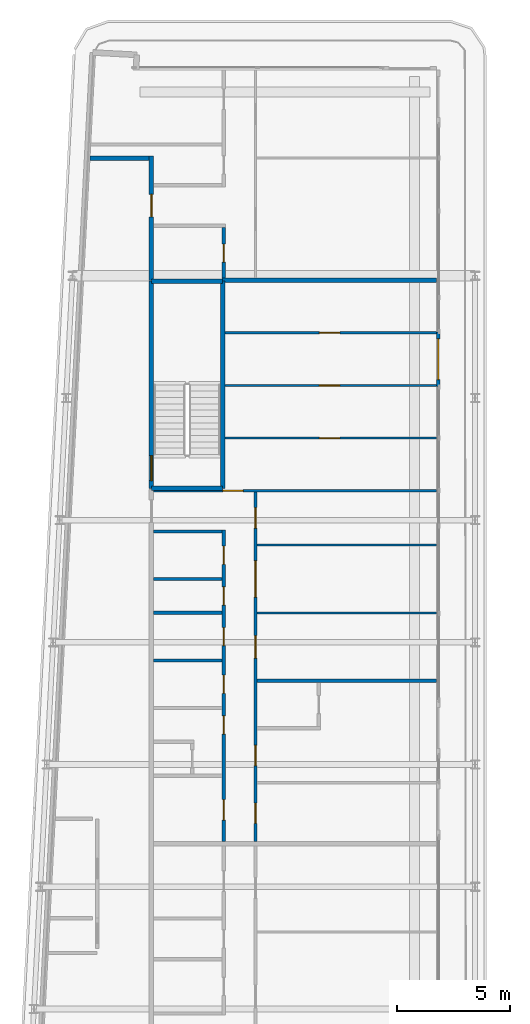
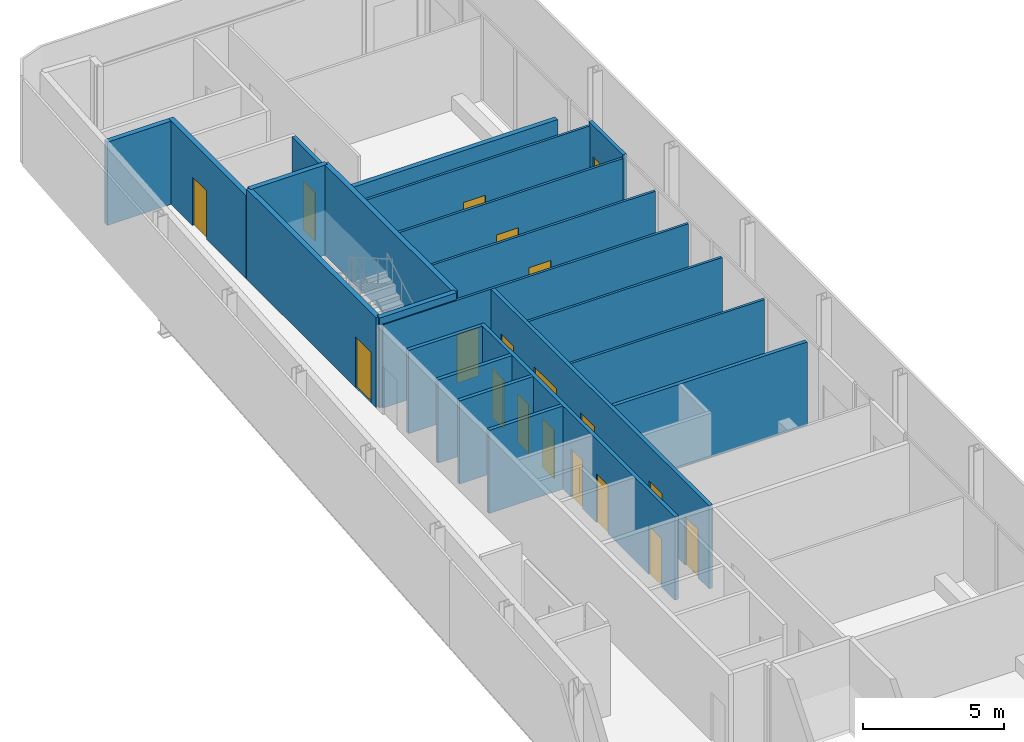
# One storey, part 14 of 21: 22 walls, 19 doors, 19 openings.
"""IFC4 building model written with IfcOpenShell, lengths in metres."""

from ifc_helpers import new_model, si_unit, direction, frame, frame_2d, origin, place, context, subcontext, project, spatial, rectangle, extrude, source, transform, mapped, material, layer, layer_set, type_object, element, fill, save


model = new_model("IFC4")

# Units and contexts
model_context = context("Model", 3, precision=1e-05, world=origin(), true_north=direction((0.0, 1.0)))
body_context = subcontext(model_context, "Body", "Model", "MODEL_VIEW")
ifc_project = project(units=[si_unit("LENGTHUNIT", "METRE"), si_unit("AREAUNIT", "SQUARE_METRE"), si_unit("VOLUMEUNIT", "CUBIC_METRE"), si_unit("PLANEANGLEUNIT", "RADIAN"), si_unit("MASSUNIT", "GRAM", prefix="KILO")], contexts=[model_context])

# Site, building, storey
site_placement = place(None, origin())
site = spatial("IfcSite", under=ifc_project, at=site_placement, CompositionType="ELEMENT")
building_placement = place(site_placement, origin())
building = spatial("IfcBuilding", under=site, at=building_placement, Name="Kheshtan School and Residences Tower", CompositionType="ELEMENT")
storey_placement = place(building_placement, frame((0.0, 0.0, 278.60009765625)))
storey = spatial("IfcBuildingStorey", under=building, at=storey_placement, Name="L65", CompositionType="ELEMENT", Elevation=278.60009765625)

# Wall
ifc_material_1 = material(Name="Gypsum board on steel studs with fire boards", Category="steel")
ifc_layer_1 = layer(ifc_material_1, 0.199951171875)
ifc_layer_set_1 = layer_set([ifc_layer_1], Name="Corridor wall 200")
wall_type_1 = type_object("IfcWallType", Name="Corridor wall 200", PredefinedType="PARTITIONING", material=ifc_layer_set_1)
wall_1_placement = place(storey_placement, frame((30.584716796875, 94.0, 0.0), z_axis=(0.0, 0.0, 1.0), x_axis=(1.0, 0.0, 0.0)))
element("IfcWall", 1, at=wall_1_placement, inside=storey, type_object=wall_type_1, Name="Partition L65-002", PredefinedType="PARTITIONING", context=body_context, shape_type="SweptSolid", body=[
    extrude(rectangle(XDim=2.615234375, YDim=0.199951171875, at=frame_2d((1.3076171875, 0.0))), origin(), (0.0, 0.0, 1.0), 3.599853515625),
])

# Wall, opening, door
wall_2_placement = place(storey_placement, frame((33.300048828125, 88.60009765625, 0.0), z_axis=(0.0, 0.0, 1.0), x_axis=(0.0, 1.0, 0.0)))
wall_2 = element("IfcWall", 2, at=wall_2_placement, inside=storey, type_object=wall_type_1, Name="Partition L65-004", PredefinedType="PARTITIONING", context=body_context, shape_type="SweptSolid", body=[
    extrude(rectangle(XDim=5.5, YDim=0.199951171875, at=frame_2d((2.75, 0.0))), origin(), (0.0, 0.0, 1.0), 3.599853515625),
])
opening_1_placement = place(wall_2_placement, frame((2.800048828125, 0.0, 0.0)))
opening_1 = element("IfcOpeningElement", 3, at=opening_1_placement, cuts=wall_2, Name="Opening D64-027", PredefinedType="OPENING", context=body_context, shape_type="SweptSolid", body=[
    extrude(rectangle(XDim=1.0, YDim=2.10009765625, at=frame_2d((0.5, 1.050048828125))), frame((0.0, 0.10986328125, 0.0), z_axis=(0.0, -1.0, 0.0), x_axis=(1.0, 0.0, 0.0)), (0.0, 0.0, 1.0), 0.219970703125),
])
ifc_material_2 = material(Name="Steel-framed fire-resisting door leaf", Category="steel")
door_type_1 = type_object("IfcDoorType", Name="Fire door FD30S 1000 x 2100", OperationType="SINGLE_SWING_LEFT", PredefinedType="DOOR", material=ifc_material_2)
shared_shape_1 = source(origin(), body_context, "Body", "SweptSolid", [
    extrude(rectangle(XDim=1.0, YDim=2.10009765625, at=frame_2d((0.5, 1.050048828125))), frame((0.0, 0.02490234375, 0.0), z_axis=(0.0, -1.0, 0.0), x_axis=(1.0, 0.0, 0.0)), (0.0, 0.0, 1.0), 0.050048828125),
])
door_1_placement = place(opening_1_placement, origin())
door_1 = element("IfcDoor", 4, at=door_1_placement, inside=storey, type_object=door_type_1, Name="Door D64-027", OperationType="SINGLE_SWING_LEFT", OverallHeight=2.10009765625, OverallWidth=1.0, PredefinedType="DOOR", context=body_context, shape_type="MappedRepresentation", body=[
    mapped(shared_shape_1, transform((0.0, 0.0, 0.0), x_axis=(1.0, 0.0, 0.0), y_axis=(0.0, 1.0, 0.0), z_axis=(0.0, 0.0, 1.0), scale=1.0)),
])
fill(opening_1, door_1)

ifc_material_3 = material(Name="Aluminium frame wall with insulated infill", Category="aluminium")
ifc_layer_2 = layer(ifc_material_3, 0.14990234375)
ifc_layer_set_2 = layer_set([ifc_layer_2], Name="Glazing frame wall 150")
wall_type_2 = type_object("IfcWallType", Name="Glazing frame wall 150", PredefinedType="SOLIDWALL", material=ifc_layer_set_2)
wall_3_placement = place(storey_placement, frame((45.97509765625, 86.305908203125, 0.0), z_axis=(0.0, 0.0, 1.0), x_axis=(0.0, -1.0, 0.0)))
wall_3 = element("IfcWall", 5, at=wall_3_placement, inside=storey, type_object=wall_type_2, Name="Balcony door wall L65 8.2", PredefinedType="SOLIDWALL", context=body_context, shape_type="SweptSolid", body=[
    extrude(rectangle(XDim=2.39990234375, YDim=0.14990234375, at=frame_2d((1.199951171875, 0.0))), origin(), (0.0, 0.0, 1.0), 3.75),
])
opening_2_placement = place(wall_3_placement, frame((0.300048828125, 0.0, 0.0)))
opening_2 = element("IfcOpeningElement", 6, at=opening_2_placement, cuts=wall_3, Name="Opening BD", PredefinedType="OPENING", context=body_context, shape_type="SweptSolid", body=[
    extrude(rectangle(XDim=1.800048828125, YDim=2.39990234375, at=frame_2d((0.89990234375, 1.199951171875))), frame((0.0, 0.0849609375, 0.0), z_axis=(0.0, -1.0, 0.0), x_axis=(1.0, 0.0, 0.0)), (0.0, 0.0, 1.0), 0.169921875),
])
ifc_material_4 = material(Name="Clear low-e glass in thermally broken aluminium frame", Category="aluminium")
door_type_2 = type_object("IfcDoorType", Name="Balcony sliding door", OperationType="SLIDING_TO_LEFT", PredefinedType="DOOR", material=ifc_material_4)
shared_shape_2 = source(origin(), body_context, "Body", "SweptSolid", [
    extrude(rectangle(XDim=1.800048828125, YDim=2.39990234375, at=frame_2d((0.89990234375, 1.199951171875))), frame((0.0, 0.02490234375, 0.0), z_axis=(0.0, -1.0, 0.0), x_axis=(1.0, 0.0, 0.0)), (0.0, 0.0, 1.0), 0.050048828125),
])
door_2_placement = place(opening_2_placement, origin())
door_2 = element("IfcDoor", 7, at=door_2_placement, inside=storey, type_object=door_type_2, Name="Balcony door L65 8.2", OperationType="SLIDING_TO_LEFT", OverallHeight=2.39990234375, OverallWidth=1.800048828125, PredefinedType="DOOR", context=body_context, shape_type="MappedRepresentation", body=[
    mapped(shared_shape_2, transform((0.0, 0.0, 0.0), x_axis=(1.0, 0.0, 0.0), y_axis=(0.0, 1.0, 0.0), z_axis=(0.0, 0.0, 1.0), scale=1.0)),
])
fill(opening_2, door_2)

ifc_material_5 = material(Name="Gypsum board on steel studs", Category="steel")
ifc_layer_3 = layer(ifc_material_5, 0.10009765625)
ifc_layer_set_3 = layer_set([ifc_layer_3], Name="Gypsum partition 100")
wall_type_3 = type_object("IfcWallType", Name="Gypsum partition 100", PredefinedType="PARTITIONING", material=ifc_layer_set_3)
wall_4_placement = place(storey_placement, frame((33.39990234375, 79.300048828125, 0.0), z_axis=(0.0, 0.0, 1.0), x_axis=(1.0, 0.0, 0.0)))
wall_4 = element("IfcWall", 8, at=wall_4_placement, inside=storey, type_object=wall_type_3, Name="Partition L65-017", PredefinedType="PARTITIONING", context=body_context, shape_type="SweptSolid", body=[
    extrude(rectangle(XDim=12.5, YDim=0.10009765625, at=frame_2d((6.25, 0.0))), origin(), (0.0, 0.0, 1.0), 3.599853515625),
])
opening_3_placement = place(wall_4_placement, frame((3.052978515625, 0.0, 0.0)))
opening_3 = element("IfcOpeningElement", 9, at=opening_3_placement, cuts=wall_4, Name="Opening D64-021", PredefinedType="OPENING", context=body_context, shape_type="SweptSolid", body=[
    extrude(rectangle(XDim=0.89990234375, YDim=2.10009765625, at=frame_2d((0.449951171875, 1.050048828125))), frame((0.0, 0.06005859375, 0.0), z_axis=(0.0, -1.0, 0.0), x_axis=(1.0, 0.0, 0.0)), (0.0, 0.0, 1.0), 0.1201171875),
])
ifc_material_6 = material(Name="Veneered timber door leaf", Category="wood")
door_type_3 = type_object("IfcDoorType", Name="Door 900 x 2100", OperationType="SINGLE_SWING_LEFT", PredefinedType="DOOR", material=ifc_material_6)
shared_shape_3 = source(origin(), body_context, "Body", "SweptSolid", [
    extrude(rectangle(XDim=0.89990234375, YDim=2.10009765625, at=frame_2d((0.449951171875, 1.050048828125))), frame((0.0, 0.02490234375, 0.0), z_axis=(0.0, -1.0, 0.0), x_axis=(1.0, 0.0, 0.0)), (0.0, 0.0, 1.0), 0.050048828125),
])
door_3_placement = place(opening_3_placement, origin())
door_3 = element("IfcDoor", 10, at=door_3_placement, inside=storey, type_object=door_type_3, Name="Door D64-021", OperationType="SINGLE_SWING_LEFT", OverallHeight=2.10009765625, OverallWidth=0.89990234375, PredefinedType="DOOR", context=body_context, shape_type="MappedRepresentation", body=[
    mapped(shared_shape_3, transform((0.0, 0.0, 0.0), x_axis=(1.0, 0.0, 0.0), y_axis=(0.0, 1.0, 0.0), z_axis=(0.0, 0.0, 1.0), scale=1.0)),
])
fill(opening_3, door_3)

wall_5_placement = place(storey_placement, frame((36.549072265625, 81.625, 0.0), z_axis=(0.0, 0.0, 1.0), x_axis=(1.0, 0.0, 0.0)))
wall_5 = element("IfcWall", 11, at=wall_5_placement, inside=storey, type_object=wall_type_3, Name="Partition L65-028", PredefinedType="PARTITIONING", context=body_context, shape_type="SweptSolid", body=[
    extrude(rectangle(XDim=9.350830078125, YDim=0.10009765625, at=frame_2d((4.67529296875, 0.0))), origin(), (0.0, 0.0, 1.0), 3.599853515625),
])
opening_4_placement = place(wall_5_placement, frame((4.176025390625, 0.0, 0.0)))
opening_4 = element("IfcOpeningElement", 12, at=opening_4_placement, cuts=wall_5, Name="Opening D64-022", PredefinedType="OPENING", context=body_context, shape_type="SweptSolid", body=[
    extrude(rectangle(XDim=0.89990234375, YDim=2.10009765625, at=frame_2d((0.449951171875, 1.050048828125))), frame((0.0, 0.06005859375, 0.0), z_axis=(0.0, -1.0, 0.0), x_axis=(1.0, 0.0, 0.0)), (0.0, 0.0, 1.0), 0.1201171875),
])
door_4_placement = place(opening_4_placement, origin())
door_4 = element("IfcDoor", 13, at=door_4_placement, inside=storey, type_object=door_type_3, Name="Door D64-022", OperationType="SINGLE_SWING_RIGHT", OverallHeight=2.10009765625, OverallWidth=0.89990234375, PredefinedType="DOOR", context=body_context, shape_type="MappedRepresentation", body=[
    mapped(shared_shape_3, transform((0.0, 0.0, 0.0), x_axis=(1.0, 0.0, 0.0), y_axis=(0.0, 1.0, 0.0), z_axis=(0.0, 0.0, 1.0), scale=1.0)),
])
fill(opening_4, door_4)

wall_6_placement = place(storey_placement, frame((36.549072265625, 83.949951171875, 0.0), z_axis=(0.0, 0.0, 1.0), x_axis=(1.0, 0.0, 0.0)))
wall_6 = element("IfcWall", 14, at=wall_6_placement, inside=storey, type_object=wall_type_3, Name="Partition L65-029", PredefinedType="PARTITIONING", context=body_context, shape_type="SweptSolid", body=[
    extrude(rectangle(XDim=9.350830078125, YDim=0.10009765625, at=frame_2d((4.67529296875, 0.0))), origin(), (0.0, 0.0, 1.0), 3.599853515625),
])
opening_5_placement = place(wall_6_placement, frame((4.176025390625, 0.0, 0.0)))
opening_5 = element("IfcOpeningElement", 15, at=opening_5_placement, cuts=wall_6, Name="Opening D64-023", PredefinedType="OPENING", context=body_context, shape_type="SweptSolid", body=[
    extrude(rectangle(XDim=0.89990234375, YDim=2.10009765625, at=frame_2d((0.449951171875, 1.050048828125))), frame((0.0, 0.06005859375, 0.0), z_axis=(0.0, -1.0, 0.0), x_axis=(1.0, 0.0, 0.0)), (0.0, 0.0, 1.0), 0.1201171875),
])
door_5_placement = place(opening_5_placement, origin())
door_5 = element("IfcDoor", 16, at=door_5_placement, inside=storey, type_object=door_type_3, Name="Door D64-023", OperationType="SINGLE_SWING_RIGHT", OverallHeight=2.10009765625, OverallWidth=0.89990234375, PredefinedType="DOOR", context=body_context, shape_type="MappedRepresentation", body=[
    mapped(shared_shape_3, transform((0.0, 0.0, 0.0), x_axis=(1.0, 0.0, 0.0), y_axis=(0.0, 1.0, 0.0), z_axis=(0.0, 0.0, 1.0), scale=1.0)),
])
fill(opening_5, door_5)

wall_7_placement = place(storey_placement, frame((36.549072265625, 86.27490234375, 0.0), z_axis=(0.0, 0.0, 1.0), x_axis=(1.0, 0.0, 0.0)))
wall_7 = element("IfcWall", 17, at=wall_7_placement, inside=storey, type_object=wall_type_3, Name="Partition L65-030", PredefinedType="PARTITIONING", context=body_context, shape_type="SweptSolid", body=[
    extrude(rectangle(XDim=9.350830078125, YDim=0.10009765625, at=frame_2d((4.67529296875, 0.0))), origin(), (0.0, 0.0, 1.0), 3.599853515625),
])
opening_6_placement = place(wall_7_placement, frame((4.176025390625, 0.0, 0.0)))
opening_6 = element("IfcOpeningElement", 18, at=opening_6_placement, cuts=wall_7, Name="Opening D64-024", PredefinedType="OPENING", context=body_context, shape_type="SweptSolid", body=[
    extrude(rectangle(XDim=0.89990234375, YDim=2.10009765625, at=frame_2d((0.449951171875, 1.050048828125))), frame((0.0, 0.06005859375, 0.0), z_axis=(0.0, -1.0, 0.0), x_axis=(1.0, 0.0, 0.0)), (0.0, 0.0, 1.0), 0.1201171875),
])
door_6_placement = place(opening_6_placement, origin())
door_6 = element("IfcDoor", 19, at=door_6_placement, inside=storey, type_object=door_type_3, Name="Door D64-024", OperationType="SINGLE_SWING_RIGHT", OverallHeight=2.10009765625, OverallWidth=0.89990234375, PredefinedType="DOOR", context=body_context, shape_type="MappedRepresentation", body=[
    mapped(shared_shape_3, transform((0.0, 0.0, 0.0), x_axis=(1.0, 0.0, 0.0), y_axis=(0.0, 1.0, 0.0), z_axis=(0.0, 0.0, 1.0), scale=1.0)),
])
fill(opening_6, door_6)

# Walls
for number, where, z_axis, x_axis, name in (
    (20, (37.97509765625, 73.89990234375, 0.0), (0.0, 0.0, 1.0), (1.0, 0.0, 0.0), "Partition L65-039"),
    (21, (37.97509765625, 76.89990234375, 0.0), (0.0, 0.0, 1.0), (1.0, 0.0, 0.0), "Partition L65-040"),
):
    element("IfcWall", number, at=place(storey_placement, frame(where, z_axis=z_axis, x_axis=x_axis)), inside=storey, type_object=wall_type_3, Name=name, PredefinedType="PARTITIONING", context=body_context, shape_type="SweptSolid", body=[
        extrude(rectangle(XDim=7.9248046875, YDim=0.10009765625, at=frame_2d((3.96240234375, 0.0))), origin(), (0.0, 0.0, 1.0), 3.599853515625),
    ])
ifc_material_7 = material(Name="Concrete C40/50", Category="concrete")
ifc_layer_4 = layer(ifc_material_7, 0.199951171875)
ifc_layer_set_4 = layer_set([ifc_layer_4], Name="Stair enclosure wall 200 Concrete C40/50")
wall_type_4 = type_object("IfcWallType", Name="Stair enclosure wall 200 Concrete C40/50", PredefinedType="SHEAR", material=ifc_layer_set_4)
for number, where, z_axis, x_axis, name in (
    (22, (33.300048828125, 79.39990234375, 0.0), (0.0, 0.0, 1.0), (1.0, 0.0, 0.0), "Stair enclosure wall ST3"),
    (23, (33.300048828125, 88.56005859375, 0.0), (0.0, 0.0, 1.0), (1.0, 0.0, 0.0), "Stair enclosure wall ST3"),
):
    element("IfcWall", number, at=place(storey_placement, frame(where, z_axis=z_axis, x_axis=x_axis)), inside=storey, type_object=wall_type_4, Name=name, PredefinedType="SHEAR", context=body_context, shape_type="SweptSolid", body=[
        extrude(rectangle(XDim=3.14990234375, YDim=0.199951171875, at=frame_2d((1.574951171875, 0.0))), origin(), (0.0, 0.0, 1.0), 3.89990234375),
    ])

# Wall, opening, door
wall_8_placement = place(storey_placement, frame((33.300048828125, 79.39990234375, 0.0), z_axis=(0.0, 0.0, 1.0), x_axis=(0.0, 1.0, 0.0)))
wall_8 = element("IfcWall", 24, at=wall_8_placement, inside=storey, type_object=wall_type_4, Name="Stair enclosure wall ST3", PredefinedType="SHEAR", context=body_context, shape_type="SweptSolid", body=[
    extrude(rectangle(XDim=9.16015625, YDim=0.199951171875, at=frame_2d((4.580078125, 0.0))), origin(), (0.0, 0.0, 1.0), 3.89990234375),
])
opening_7_placement = place(wall_8_placement, frame((0.35009765625, 0.0, 0.0)))
opening_7 = element("IfcOpeningElement", 25, at=opening_7_placement, cuts=wall_8, Name="Opening ST3D", PredefinedType="OPENING", context=body_context, shape_type="SweptSolid", body=[
    extrude(rectangle(XDim=1.10009765625, YDim=2.199951171875, at=frame_2d((0.550048828125, 1.10009765625))), frame((0.0, 0.10986328125, 0.0), z_axis=(0.0, -1.0, 0.0), x_axis=(1.0, 0.0, 0.0)), (0.0, 0.0, 1.0), 0.219970703125),
])
ifc_material_8 = material(Name="Steel door leaf, galvanised", Category="steel")
door_type_4 = type_object("IfcDoorType", Name="Stair door 1100 steel 90 min", OperationType="SINGLE_SWING_LEFT", PredefinedType="DOOR", material=ifc_material_8)
shared_shape_4 = source(origin(), body_context, "Body", "SweptSolid", [
    extrude(rectangle(XDim=1.10009765625, YDim=2.199951171875, at=frame_2d((0.550048828125, 1.10009765625))), frame((0.0, 0.02490234375, 0.0), z_axis=(0.0, -1.0, 0.0), x_axis=(1.0, 0.0, 0.0)), (0.0, 0.0, 1.0), 0.050048828125),
])
door_7_placement = place(opening_7_placement, origin())
door_7 = element("IfcDoor", 26, at=door_7_placement, inside=storey, type_object=door_type_4, Name="Stair ST3 door", OperationType="SINGLE_SWING_RIGHT", OverallHeight=2.199951171875, OverallWidth=1.10009765625, PredefinedType="DOOR", context=body_context, shape_type="MappedRepresentation", body=[
    mapped(shared_shape_4, transform((0.0, 0.0, 0.0), x_axis=(1.0, 0.0, 0.0), y_axis=(0.0, 1.0, 0.0), z_axis=(0.0, 0.0, 1.0), scale=1.0)),
])
fill(opening_7, door_7)

# Walls
wall_9_placement = place(storey_placement, frame((36.449951171875, 79.39990234375, 0.0), z_axis=(0.0, 0.0, 1.0), x_axis=(0.0, 1.0, 0.0)))
element("IfcWall", 27, at=wall_9_placement, inside=storey, type_object=wall_type_4, Name="Stair enclosure wall ST3", PredefinedType="SHEAR", context=body_context, shape_type="SweptSolid", body=[
    extrude(rectangle(XDim=9.16015625, YDim=0.199951171875, at=frame_2d((4.580078125, 0.0))), origin(), (0.0, 0.0, 1.0), 3.89990234375),
])
ifc_material_9 = material(Name="Twin gypsum board on steel studs with mineral wool", Category="steel")
ifc_layer_5 = layer(ifc_material_9, 0.199951171875)
ifc_layer_set_5 = layer_set([ifc_layer_5], Name="Unit demising wall 200")
wall_type_5 = type_object("IfcWallType", Name="Unit demising wall 200", PredefinedType="PARTITIONING", material=ifc_layer_set_5)
wall_10_placement = place(storey_placement, frame((36.425048828125, 88.60009765625, 0.0), z_axis=(0.0, 0.0, 1.0), x_axis=(1.0, 0.0, 0.0)))
element("IfcWall", 28, at=wall_10_placement, inside=storey, type_object=wall_type_5, Name="Partition L65-023", PredefinedType="PARTITIONING", context=body_context, shape_type="SweptSolid", body=[
    extrude(rectangle(XDim=9.474853515625, YDim=0.199951171875, at=frame_2d((4.7373046875, 0.0))), origin(), (0.0, 0.0, 1.0), 2.5),
])
ifc_material_10 = material(Name="Moisture-resistant gypsum board on steel studs", Category="steel")
ifc_layer_6 = layer(ifc_material_10, 0.14990234375)
ifc_layer_set_6 = layer_set([ifc_layer_6], Name="Wet-room partition 150")
wall_type_6 = type_object("IfcWallType", Name="Wet-room partition 150", PredefinedType="PARTITIONING", material=ifc_layer_set_6)
for number, where, z_axis, x_axis, name in (
    (29, (33.39990234375, 71.800048828125, 0.0), (0.0, 0.0, 1.0), (1.0, 0.0, 0.0), "Partition L65-013"),
    (30, (33.39990234375, 73.89990234375, 0.0), (0.0, 0.0, 1.0), (1.0, 0.0, 0.0), "Partition L65-014"),
    (31, (33.39990234375, 75.39990234375, 0.0), (0.0, 0.0, 1.0), (1.0, 0.0, 0.0), "Partition L65-015"),
    (32, (33.39990234375, 77.5, 0.0), (0.0, 0.0, 1.0), (1.0, 0.0, 0.0), "Partition L65-016"),
):
    element("IfcWall", number, at=place(storey_placement, frame(where, z_axis=z_axis, x_axis=x_axis)), inside=storey, type_object=wall_type_6, Name=name, PredefinedType="PARTITIONING", context=body_context, shape_type="SweptSolid", body=[
        extrude(rectangle(XDim=3.025146484375, YDim=0.14990234375, at=frame_2d((1.5126953125, 0.0))), origin(), (0.0, 0.0, 1.0), 3.599853515625),
    ])

# Wall, openings, doors
wall_11_placement = place(storey_placement, frame((36.5, 63.800048828125, 0.0), z_axis=(0.0, 0.0, 1.0), x_axis=(0.0, 1.0, 0.0)))
wall_11 = element("IfcWall", 33, at=wall_11_placement, inside=storey, type_object=wall_type_6, Name="Partition L65-025", PredefinedType="PARTITIONING", context=body_context, shape_type="SweptSolid", body=[
    extrude(rectangle(XDim=13.77490234375, YDim=0.14990234375, at=frame_2d((6.887451171875, 0.0))), origin(), (0.0, 0.0, 1.0), 3.599853515625),
])
opening_8_placement = place(wall_11_placement, frame((6.550048828125, 0.0, 0.0)))
opening_8 = element("IfcOpeningElement", 34, at=opening_8_placement, cuts=wall_11, Name="Opening D64-007", PredefinedType="OPENING", context=body_context, shape_type="SweptSolid", body=[
    extrude(rectangle(XDim=0.800048828125, YDim=2.10009765625, at=frame_2d((0.39990234375, 1.050048828125))), frame((0.0, 0.0849609375, 0.0), z_axis=(0.0, -1.0, 0.0), x_axis=(1.0, 0.0, 0.0)), (0.0, 0.0, 1.0), 0.169921875),
])
opening_9_placement = place(wall_11_placement, frame((12.25, 0.0, 0.0)))
opening_9 = element("IfcOpeningElement", 35, at=opening_9_placement, cuts=wall_11, Name="Opening D64-008", PredefinedType="OPENING", context=body_context, shape_type="SweptSolid", body=[
    extrude(rectangle(XDim=0.800048828125, YDim=2.10009765625, at=frame_2d((0.39990234375, 1.050048828125))), frame((0.0, 0.0849609375, 0.0), z_axis=(0.0, -1.0, 0.0), x_axis=(1.0, 0.0, 0.0)), (0.0, 0.0, 1.0), 0.169921875),
])
opening_10_placement = place(wall_11_placement, frame((8.64990234375, 0.0, 0.0)))
opening_10 = element("IfcOpeningElement", 36, at=opening_10_placement, cuts=wall_11, Name="Opening D64-011", PredefinedType="OPENING", context=body_context, shape_type="SweptSolid", body=[
    extrude(rectangle(XDim=0.800048828125, YDim=2.10009765625, at=frame_2d((0.39990234375, 1.050048828125))), frame((0.0, 0.0849609375, 0.0), z_axis=(0.0, -1.0, 0.0), x_axis=(1.0, 0.0, 0.0)), (0.0, 0.0, 1.0), 0.169921875),
])
opening_11_placement = place(wall_11_placement, frame((0.949951171875, 0.0, 0.0)))
opening_11 = element("IfcOpeningElement", 37, at=opening_11_placement, cuts=wall_11, Name="Opening D64-014", PredefinedType="OPENING", context=body_context, shape_type="SweptSolid", body=[
    extrude(rectangle(XDim=0.89990234375, YDim=2.10009765625, at=frame_2d((0.449951171875, 1.050048828125))), frame((0.0, 0.0849609375, 0.0), z_axis=(0.0, -1.0, 0.0), x_axis=(1.0, 0.0, 0.0)), (0.0, 0.0, 1.0), 0.169921875),
])
opening_12_placement = place(wall_11_placement, frame((4.75, 0.0, 0.0)))
opening_12 = element("IfcOpeningElement", 38, at=opening_12_placement, cuts=wall_11, Name="Opening D64-016", PredefinedType="OPENING", context=body_context, shape_type="SweptSolid", body=[
    extrude(rectangle(XDim=0.800048828125, YDim=2.10009765625, at=frame_2d((0.39990234375, 1.050048828125))), frame((0.0, 0.0849609375, 0.0), z_axis=(0.0, -1.0, 0.0), x_axis=(1.0, 0.0, 0.0)), (0.0, 0.0, 1.0), 0.169921875),
])
opening_13_placement = place(wall_11_placement, frame((10.449951171875, 0.0, 0.0)))
opening_13 = element("IfcOpeningElement", 39, at=opening_13_placement, cuts=wall_11, Name="Opening D64-020", PredefinedType="OPENING", context=body_context, shape_type="SweptSolid", body=[
    extrude(rectangle(XDim=0.800048828125, YDim=2.10009765625, at=frame_2d((0.39990234375, 1.050048828125))), frame((0.0, 0.0849609375, 0.0), z_axis=(0.0, -1.0, 0.0), x_axis=(1.0, 0.0, 0.0)), (0.0, 0.0, 1.0), 0.169921875),
])
door_type_5 = type_object("IfcDoorType", Name="Door 800 x 2100", OperationType="SINGLE_SWING_LEFT", PredefinedType="DOOR", material=ifc_material_6)
shared_shape_5 = source(origin(), body_context, "Body", "SweptSolid", [
    extrude(rectangle(XDim=0.800048828125, YDim=2.10009765625, at=frame_2d((0.39990234375, 1.050048828125))), frame((0.0, 0.02490234375, 0.0), z_axis=(0.0, -1.0, 0.0), x_axis=(1.0, 0.0, 0.0)), (0.0, 0.0, 1.0), 0.050048828125),
])
door_8_placement = place(opening_8_placement, origin())
door_8 = element("IfcDoor", 40, at=door_8_placement, inside=storey, type_object=door_type_5, Name="Door D64-007", OperationType="SINGLE_SWING_RIGHT", OverallHeight=2.10009765625, OverallWidth=0.800048828125, PredefinedType="DOOR", context=body_context, shape_type="MappedRepresentation", body=[
    mapped(shared_shape_5, transform((0.0, 0.0, 0.0), x_axis=(1.0, 0.0, 0.0), y_axis=(0.0, 1.0, 0.0), z_axis=(0.0, 0.0, 1.0), scale=1.0)),
])
fill(opening_8, door_8)
door_9_placement = place(opening_9_placement, origin())
door_9 = element("IfcDoor", 41, at=door_9_placement, inside=storey, type_object=door_type_5, Name="Door D64-008", OperationType="SINGLE_SWING_RIGHT", OverallHeight=2.10009765625, OverallWidth=0.800048828125, PredefinedType="DOOR", context=body_context, shape_type="MappedRepresentation", body=[
    mapped(shared_shape_5, transform((0.0, 0.0, 0.0), x_axis=(1.0, 0.0, 0.0), y_axis=(0.0, 1.0, 0.0), z_axis=(0.0, 0.0, 1.0), scale=1.0)),
])
fill(opening_9, door_9)
door_10_placement = place(opening_10_placement, origin())
door_10 = element("IfcDoor", 42, at=door_10_placement, inside=storey, type_object=door_type_5, Name="Door D64-011", OperationType="SINGLE_SWING_RIGHT", OverallHeight=2.10009765625, OverallWidth=0.800048828125, PredefinedType="DOOR", context=body_context, shape_type="MappedRepresentation", body=[
    mapped(shared_shape_5, transform((0.0, 0.0, 0.0), x_axis=(1.0, 0.0, 0.0), y_axis=(0.0, 1.0, 0.0), z_axis=(0.0, 0.0, 1.0), scale=1.0)),
])
fill(opening_10, door_10)
door_11_placement = place(opening_12_placement, origin())
door_11 = element("IfcDoor", 43, at=door_11_placement, inside=storey, type_object=door_type_5, Name="Door D64-016", OperationType="SINGLE_SWING_RIGHT", OverallHeight=2.10009765625, OverallWidth=0.800048828125, PredefinedType="DOOR", context=body_context, shape_type="MappedRepresentation", body=[
    mapped(shared_shape_5, transform((0.0, 0.0, 0.0), x_axis=(1.0, 0.0, 0.0), y_axis=(0.0, 1.0, 0.0), z_axis=(0.0, 0.0, 1.0), scale=1.0)),
])
fill(opening_12, door_11)
door_12_placement = place(opening_13_placement, origin())
door_12 = element("IfcDoor", 44, at=door_12_placement, inside=storey, type_object=door_type_5, Name="Door D64-020", OperationType="SINGLE_SWING_RIGHT", OverallHeight=2.10009765625, OverallWidth=0.800048828125, PredefinedType="DOOR", context=body_context, shape_type="MappedRepresentation", body=[
    mapped(shared_shape_5, transform((0.0, 0.0, 0.0), x_axis=(1.0, 0.0, 0.0), y_axis=(0.0, 1.0, 0.0), z_axis=(0.0, 0.0, 1.0), scale=1.0)),
])
fill(opening_13, door_12)
door_13_placement = place(opening_11_placement, origin())
door_13 = element("IfcDoor", 45, at=door_13_placement, inside=storey, type_object=door_type_3, Name="Door D64-014", OperationType="SINGLE_SWING_RIGHT", OverallHeight=2.10009765625, OverallWidth=0.89990234375, PredefinedType="DOOR", context=body_context, shape_type="MappedRepresentation", body=[
    mapped(shared_shape_3, transform((0.0, 0.0, 0.0), x_axis=(1.0, 0.0, 0.0), y_axis=(0.0, 1.0, 0.0), z_axis=(0.0, 0.0, 1.0), scale=1.0)),
])
fill(opening_11, door_13)

# Wall, opening, door
wall_12_placement = place(storey_placement, frame((36.5, 88.699951171875, 0.0), z_axis=(0.0, 0.0, 1.0), x_axis=(0.0, 1.0, 0.0)))
wall_12 = element("IfcWall", 46, at=wall_12_placement, inside=storey, type_object=wall_type_6, Name="Partition L65-026", PredefinedType="PARTITIONING", context=body_context, shape_type="SweptSolid", body=[
    extrude(rectangle(XDim=2.22509765625, YDim=0.14990234375, at=frame_2d((1.112548828125, 0.0))), origin(), (0.0, 0.0, 1.0), 3.599853515625),
])
opening_14_placement = place(wall_12_placement, frame((0.699951171875, 0.0, 0.0)))
opening_14 = element("IfcOpeningElement", 47, at=opening_14_placement, cuts=wall_12, Name="Opening D64-025", PredefinedType="OPENING", context=body_context, shape_type="SweptSolid", body=[
    extrude(rectangle(XDim=0.800048828125, YDim=2.10009765625, at=frame_2d((0.39990234375, 1.050048828125))), frame((0.0, 0.0849609375, 0.0), z_axis=(0.0, -1.0, 0.0), x_axis=(1.0, 0.0, 0.0)), (0.0, 0.0, 1.0), 0.169921875),
])
door_14_placement = place(opening_14_placement, origin())
door_14 = element("IfcDoor", 48, at=door_14_placement, inside=storey, type_object=door_type_5, Name="Door D64-025", OperationType="SINGLE_SWING_LEFT", OverallHeight=2.10009765625, OverallWidth=0.800048828125, PredefinedType="DOOR", context=body_context, shape_type="MappedRepresentation", body=[
    mapped(shared_shape_5, transform((0.0, 0.0, 0.0), x_axis=(1.0, 0.0, 0.0), y_axis=(0.0, 1.0, 0.0), z_axis=(0.0, 0.0, 1.0), scale=1.0)),
])
fill(opening_14, door_14)

# Wall, openings, doors
wall_13_placement = place(storey_placement, frame((37.89990234375, 63.800048828125, 0.0), z_axis=(0.0, 0.0, 1.0), x_axis=(0.0, 1.0, 0.0)))
wall_13 = element("IfcWall", 49, at=wall_13_placement, inside=storey, type_object=wall_type_6, Name="Partition L65-032", PredefinedType="PARTITIONING", context=body_context, shape_type="SweptSolid", body=[
    extrude(rectangle(XDim=15.449951171875, YDim=0.14990234375, at=frame_2d((7.72509765625, 0.0))), origin(), (0.0, 0.0, 1.0), 3.599853515625),
])
opening_15_placement = place(wall_13_placement, frame((0.800048828125, 0.0, 0.0)))
opening_15 = element("IfcOpeningElement", 50, at=opening_15_placement, cuts=wall_13, Name="Opening D64-009", PredefinedType="OPENING", context=body_context, shape_type="SweptSolid", body=[
    extrude(rectangle(XDim=0.89990234375, YDim=2.10009765625, at=frame_2d((0.449951171875, 1.050048828125))), frame((0.0, 0.0849609375, 0.0), z_axis=(0.0, -1.0, 0.0), x_axis=(1.0, 0.0, 0.0)), (0.0, 0.0, 1.0), 0.169921875),
])
opening_16_placement = place(wall_13_placement, frame((13.85009765625, 0.0, 0.0)))
opening_16 = element("IfcOpeningElement", 51, at=opening_16_placement, cuts=wall_13, Name="Opening D64-010", PredefinedType="OPENING", context=body_context, shape_type="SweptSolid", body=[
    extrude(rectangle(XDim=0.89990234375, YDim=2.10009765625, at=frame_2d((0.449951171875, 1.050048828125))), frame((0.0, 0.0849609375, 0.0), z_axis=(0.0, -1.0, 0.0), x_axis=(1.0, 0.0, 0.0)), (0.0, 0.0, 1.0), 0.169921875),
])
opening_17_placement = place(wall_13_placement, frame((8.10009765625, 0.0, 0.0)))
opening_17 = element("IfcOpeningElement", 52, at=opening_17_placement, cuts=wall_13, Name="Opening D64-015", PredefinedType="OPENING", context=body_context, shape_type="SweptSolid", body=[
    extrude(rectangle(XDim=1.0, YDim=2.10009765625, at=frame_2d((0.5, 1.050048828125))), frame((0.0, 0.0849609375, 0.0), z_axis=(0.0, -1.0, 0.0), x_axis=(1.0, 0.0, 0.0)), (0.0, 0.0, 1.0), 0.169921875),
])
opening_18_placement = place(wall_13_placement, frame((10.800048828125, 0.0, 0.0)))
opening_18 = element("IfcOpeningElement", 53, at=opening_18_placement, cuts=wall_13, Name="Opening D64-018", PredefinedType="OPENING", context=body_context, shape_type="SweptSolid", body=[
    extrude(rectangle(XDim=1.60009765625, YDim=2.10009765625, at=frame_2d((0.800048828125, 1.050048828125))), frame((0.0, 0.0849609375, 0.0), z_axis=(0.0, -1.0, 0.0), x_axis=(1.0, 0.0, 0.0)), (0.0, 0.0, 1.0), 0.169921875),
])
opening_19_placement = place(wall_13_placement, frame((3.35009765625, 0.0, 0.0)))
opening_19 = element("IfcOpeningElement", 54, at=opening_19_placement, cuts=wall_13, Name="Opening D64-019", PredefinedType="OPENING", context=body_context, shape_type="SweptSolid", body=[
    extrude(rectangle(XDim=0.89990234375, YDim=2.10009765625, at=frame_2d((0.449951171875, 1.050048828125))), frame((0.0, 0.0849609375, 0.0), z_axis=(0.0, -1.0, 0.0), x_axis=(1.0, 0.0, 0.0)), (0.0, 0.0, 1.0), 0.169921875),
])
door_type_6 = type_object("IfcDoorType", Name="Door 1000 x 2100", OperationType="SINGLE_SWING_LEFT", PredefinedType="DOOR", material=ifc_material_6)
shared_shape_6 = source(origin(), body_context, "Body", "SweptSolid", [
    extrude(rectangle(XDim=1.0, YDim=2.10009765625, at=frame_2d((0.5, 1.050048828125))), frame((0.0, 0.02490234375, 0.0), z_axis=(0.0, -1.0, 0.0), x_axis=(1.0, 0.0, 0.0)), (0.0, 0.0, 1.0), 0.050048828125),
])
door_15_placement = place(opening_17_placement, origin())
door_15 = element("IfcDoor", 55, at=door_15_placement, inside=storey, type_object=door_type_6, Name="Door D64-015", OperationType="SINGLE_SWING_RIGHT", OverallHeight=2.10009765625, OverallWidth=1.0, PredefinedType="DOOR", context=body_context, shape_type="MappedRepresentation", body=[
    mapped(shared_shape_6, transform((0.0, 0.0, 0.0), x_axis=(1.0, 0.0, 0.0), y_axis=(0.0, 1.0, 0.0), z_axis=(0.0, 0.0, 1.0), scale=1.0)),
])
fill(opening_17, door_15)
door_16_placement = place(opening_15_placement, origin())
door_16 = element("IfcDoor", 56, at=door_16_placement, inside=storey, type_object=door_type_3, Name="Door D64-009", OperationType="SINGLE_SWING_RIGHT", OverallHeight=2.10009765625, OverallWidth=0.89990234375, PredefinedType="DOOR", context=body_context, shape_type="MappedRepresentation", body=[
    mapped(shared_shape_3, transform((0.0, 0.0, 0.0), x_axis=(1.0, 0.0, 0.0), y_axis=(0.0, 1.0, 0.0), z_axis=(0.0, 0.0, 1.0), scale=1.0)),
])
fill(opening_15, door_16)
door_17_placement = place(opening_16_placement, origin())
door_17 = element("IfcDoor", 57, at=door_17_placement, inside=storey, type_object=door_type_3, Name="Door D64-010", OperationType="SINGLE_SWING_LEFT", OverallHeight=2.10009765625, OverallWidth=0.89990234375, PredefinedType="DOOR", context=body_context, shape_type="MappedRepresentation", body=[
    mapped(shared_shape_3, transform((0.0, 0.0, 0.0), x_axis=(1.0, 0.0, 0.0), y_axis=(0.0, 1.0, 0.0), z_axis=(0.0, 0.0, 1.0), scale=1.0)),
])
fill(opening_16, door_17)
door_18_placement = place(opening_19_placement, origin())
door_18 = element("IfcDoor", 58, at=door_18_placement, inside=storey, type_object=door_type_3, Name="Door D64-019", OperationType="SINGLE_SWING_RIGHT", OverallHeight=2.10009765625, OverallWidth=0.89990234375, PredefinedType="DOOR", context=body_context, shape_type="MappedRepresentation", body=[
    mapped(shared_shape_3, transform((0.0, 0.0, 0.0), x_axis=(1.0, 0.0, 0.0), y_axis=(0.0, 1.0, 0.0), z_axis=(0.0, 0.0, 1.0), scale=1.0)),
])
fill(opening_19, door_18)
door_type_7 = type_object("IfcDoorType", Name="Double door 1600 x 2100", OperationType="DOUBLE_DOOR_SINGLE_SWING", PredefinedType="DOOR", material=ifc_material_6)
shared_shape_7 = source(origin(), body_context, "Body", "SweptSolid", [
    extrude(rectangle(XDim=1.60009765625, YDim=2.10009765625, at=frame_2d((0.800048828125, 1.050048828125))), frame((0.0, 0.02490234375, 0.0), z_axis=(0.0, -1.0, 0.0), x_axis=(1.0, 0.0, 0.0)), (0.0, 0.0, 1.0), 0.050048828125),
])
door_19_placement = place(opening_18_placement, origin())
door_19 = element("IfcDoor", 59, at=door_19_placement, inside=storey, type_object=door_type_7, Name="Door D64-018", OperationType="DOUBLE_DOOR_SINGLE_SWING", OverallHeight=2.10009765625, OverallWidth=1.60009765625, PredefinedType="DOOR", context=body_context, shape_type="MappedRepresentation", body=[
    mapped(shared_shape_7, transform((0.0, 0.0, 0.0), x_axis=(1.0, 0.0, 0.0), y_axis=(0.0, 1.0, 0.0), z_axis=(0.0, 0.0, 1.0), scale=1.0)),
])
fill(opening_18, door_19)

# Wall
wall_14_placement = place(storey_placement, frame((37.97509765625, 70.89990234375, 0.0), z_axis=(0.0, 0.0, 1.0), x_axis=(1.0, 0.0, 0.0)))
element("IfcWall", 60, at=wall_14_placement, inside=storey, type_object=wall_type_6, Name="Partition L65-038", PredefinedType="PARTITIONING", context=body_context, shape_type="SweptSolid", body=[
    extrude(rectangle(XDim=7.9248046875, YDim=0.14990234375, at=frame_2d((3.96240234375, 0.0))), origin(), (0.0, 0.0, 1.0), 3.599853515625),
])

save(model, "model.ifc")
